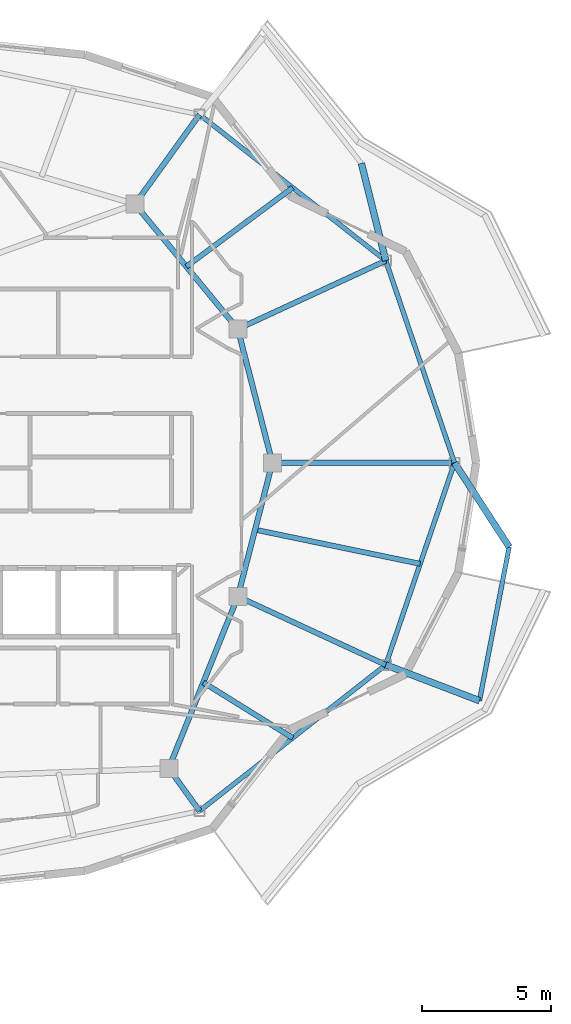
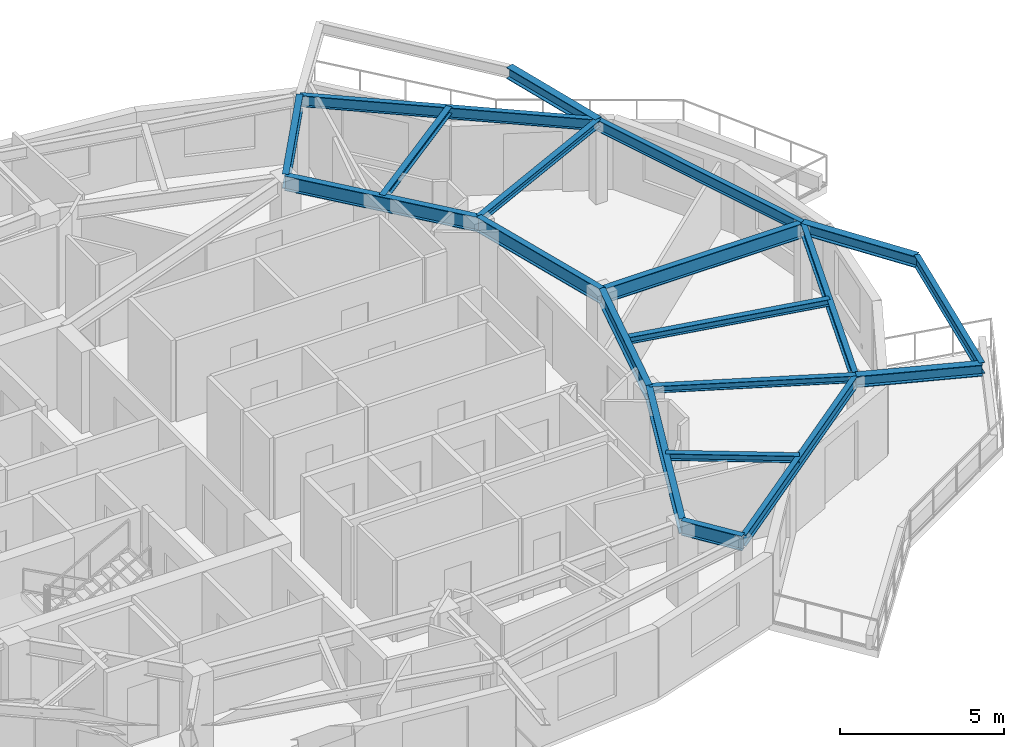
# One storey, part 5 of 14: 20 beams.
"""IFC4 building model written with IfcOpenShell, lengths in metres."""

from ifc_helpers import new_model, si_unit, direction, frame, origin, origin_2d, place, context, subcontext, project, spatial, i_section, extrude, material, material_profile, profile_set, type_object, element, save


model = new_model("IFC4")

# Units and contexts
model_context = context("Model", 3, precision=1e-05, world=origin(), true_north=direction((0.0, 1.0)))
body_context = subcontext(model_context, "Body", "Model", "MODEL_VIEW")
ifc_project = project(units=[si_unit("LENGTHUNIT", "METRE"), si_unit("AREAUNIT", "SQUARE_METRE"), si_unit("VOLUMEUNIT", "CUBIC_METRE"), si_unit("PLANEANGLEUNIT", "RADIAN"), si_unit("MASSUNIT", "GRAM", prefix="KILO")], contexts=[model_context])

# Site, building, storey
site_placement = place(None, origin())
site = spatial("IfcSite", under=ifc_project, at=site_placement, CompositionType="ELEMENT")
building_placement = place(site_placement, origin())
building = spatial("IfcBuilding", under=site, at=building_placement, Name="Kolvaren Gate Tower and Convention Centre", CompositionType="ELEMENT")
storey_placement = place(building_placement, frame((0.0, 0.0, 259.10009765625)))
storey = spatial("IfcBuildingStorey", under=building, at=storey_placement, Name="L70", CompositionType="ELEMENT", Elevation=259.10009765625)

# Beams
ifc_material = material(Name="Structural steel ASTM A992 Grade 345 MPa", Category="steel")
ifc_material_profile_1 = material_profile(ifc_material, i_section(OverallWidth=0.260009765625, OverallDepth=0.419921875, WebThickness=0.013427734375, FlangeThickness=0.0224609375, at=origin_2d()), Name="W410X132")
ifc_profile_set_1 = profile_set([ifc_material_profile_1], Name="Structural steel ASTM A992 Grade 345 MPa")
beam_type_1 = type_object("IfcBeamType", Name="STR-BM-W410X132", PredefinedType="BEAM", material=ifc_profile_set_1)
for number, where, z_axis, x_axis, name in (
    (1, (47.1337890625, 34.856201171875, 2.8203125), (-0.243021682146, 0.97002085648, 0.0), (-0.97002085648, -0.243021682146, 0.0), "Tower L71 Planted Balcony Outrigger Cantilever BC-1A"),
    (2, (47.1337890625, 19.143798828125, 2.8203125), (0.933954141343, -0.35739286768, 0.0), (0.35739286768, 0.933954141343, 0.0), "Tower L71 Planted Balcony Outrigger Cantilever BC-4A"),
):
    element("IfcBeam", number, at=place(storey_placement, frame(where, z_axis=z_axis, x_axis=x_axis)), inside=storey, type_object=beam_type_1, Name=name, PredefinedType="BEAM", context=body_context, shape_type="SweptSolid", body=[
        extrude(i_section(OverallWidth=0.260009765625, OverallDepth=0.419921875, WebThickness=0.013427734375, FlangeThickness=0.0224609375, at=origin_2d()), origin(), (0.0, 0.0, 1.0), 3.89990234375),
    ])
beam_1_placement = place(storey_placement, frame((49.80615234375, 27.0, 2.8203125), z_axis=(0.544794709784, -0.838569451024, 0.0), x_axis=(0.838569451024, 0.544794709784, 0.0)))
element("IfcBeam", 3, at=beam_1_placement, inside=storey, type_object=beam_type_1, Name="Tower L71 Planted Balcony Outrigger Cantilever BC-4B", PredefinedType="BEAM", context=body_context, shape_type="SweptSolid", body=[
    extrude(i_section(OverallWidth=0.260009765625, OverallDepth=0.419921875, WebThickness=0.013427734375, FlangeThickness=0.0224609375, at=origin_2d()), origin(), (0.0, 0.0, 1.0), 3.900146484375),
])
ifc_material_profile_2 = material_profile(ifc_material, i_section(OverallWidth=0.2119140625, OverallDepth=0.5439453125, WebThickness=0.01318359375, FlangeThickness=0.021240234375, at=origin_2d()), Name="W530X123")
ifc_profile_set_2 = profile_set([ifc_material_profile_2], Name="Structural steel ASTM A992 Grade 345 MPa")
beam_type_2 = type_object("IfcBeamType", Name="STR-BM-W530X123", PredefinedType="BEAM", material=ifc_profile_set_2)
beam_2_placement = place(storey_placement, frame((42.72509765625, 27.0, 2.7578125), z_axis=(-0.250091133936, -0.968222301296, 0.0), x_axis=(0.968222301296, -0.250091133936, 0.0)))
element("IfcBeam", 4, at=beam_2_placement, inside=storey, type_object=beam_type_2, Name="Tower L70 Primary Ring Girder G-01", PredefinedType="BEAM", context=body_context, shape_type="SweptSolid", body=[
    extrude(i_section(OverallWidth=0.2119140625, OverallDepth=0.5439453125, WebThickness=0.01318359375, FlangeThickness=0.021240234375, at=origin_2d()), origin(), (0.0, 0.0, 1.0), 5.3701171875),
])
beam_3_placement = place(storey_placement, frame((41.382080078125, 32.199462890625, 2.7578125), z_axis=(-0.635884066011, 0.771784590798, 0.0), x_axis=(-0.771784590798, -0.635884066011, 0.0)))
element("IfcBeam", 5, at=beam_3_placement, inside=storey, type_object=beam_type_2, Name="Tower L70 Primary Ring Girder G-02", PredefinedType="BEAM", context=body_context, shape_type="SweptSolid", body=[
    extrude(i_section(OverallWidth=0.2119140625, OverallDepth=0.5439453125, WebThickness=0.01318359375, FlangeThickness=0.021240234375, at=origin_2d()), origin(), (0.0, 0.0, 1.0), 6.291259765625),
])
beam_4_placement = place(storey_placement, frame((38.6982421875, 15.12060546875, 2.7578125), z_axis=(0.372811100169, 0.927907260232, 0.0), x_axis=(-0.927907260232, 0.372811100169, 0.0)))
element("IfcBeam", 6, at=beam_4_placement, inside=storey, type_object=beam_type_2, Name="Tower L70 Primary Ring Girder G-09", PredefinedType="BEAM", context=body_context, shape_type="SweptSolid", body=[
    extrude(i_section(OverallWidth=0.2119140625, OverallDepth=0.5439453125, WebThickness=0.01318359375, FlangeThickness=0.021240234375, at=origin_2d()), origin(), (0.0, 0.0, 1.0), 7.198974609375),
])
beam_5_placement = place(storey_placement, frame((42.72509765625, 27.0, 2.7578125), z_axis=(-0.250091133936, 0.968222301296, 0.0), x_axis=(-0.968222301296, -0.250091133936, 0.0)))
element("IfcBeam", 7, at=beam_5_placement, inside=storey, type_object=beam_type_2, Name="Tower L70 Primary Ring Girder G-12", PredefinedType="BEAM", context=body_context, shape_type="SweptSolid", body=[
    extrude(i_section(OverallWidth=0.2119140625, OverallDepth=0.5439453125, WebThickness=0.01318359375, FlangeThickness=0.021240234375, at=origin_2d()), origin(), (0.0, 0.0, 1.0), 5.3701171875),
])
beam_6_placement = place(storey_placement, frame((42.72509765625, 27.0, 2.7578125), z_axis=(1.0, 0.0, 0.0), x_axis=(0.0, 1.0, 0.0)))
element("IfcBeam", 8, at=beam_6_placement, inside=storey, type_object=beam_type_2, Name="Tower L70 Radial Floor Girder RB-01", PredefinedType="BEAM", context=body_context, shape_type="SweptSolid", body=[
    extrude(i_section(OverallWidth=0.2119140625, OverallDepth=0.5439453125, WebThickness=0.01318359375, FlangeThickness=0.021240234375, at=origin_2d()), origin(), (0.0, 0.0, 1.0), 7.0810546875),
])
beam_7_placement = place(storey_placement, frame((37.381591796875, 37.054931640625, 2.7578125), z_axis=(0.585218448818, 0.810875679228, 0.0), x_axis=(-0.810875679228, 0.585218448818, 0.0)))
element("IfcBeam", 9, at=beam_7_placement, inside=storey, type_object=beam_type_2, Name="Tower L70 Radial Floor Girder RB-03", PredefinedType="BEAM", context=body_context, shape_type="SweptSolid", body=[
    extrude(i_section(OverallWidth=0.2119140625, OverallDepth=0.5439453125, WebThickness=0.01318359375, FlangeThickness=0.021240234375, at=origin_2d()), origin(), (0.0, 0.0, 1.0), 4.2919921875),
])
beam_8_placement = place(storey_placement, frame((38.6982421875, 15.12060546875, 2.7578125), z_axis=(0.585246071944, -0.810855742579, 0.0), x_axis=(0.810855742579, 0.585246071944, 0.0)))
element("IfcBeam", 10, at=beam_8_placement, inside=storey, type_object=beam_type_2, Name="Tower L70 Radial Floor Girder RB-11", PredefinedType="BEAM", context=body_context, shape_type="SweptSolid", body=[
    extrude(i_section(OverallWidth=0.2119140625, OverallDepth=0.5439453125, WebThickness=0.01318359375, FlangeThickness=0.021240234375, at=origin_2d()), origin(), (0.0, 0.0, 1.0), 2.0419921875),
])
ifc_material_profile_3 = material_profile(ifc_material, i_section(OverallWidth=0.202880859375, OverallDepth=0.251953125, WebThickness=0.008056640625, FlangeThickness=0.013427734375, at=origin_2d()), Name="W250X58")
ifc_profile_set_3 = profile_set([ifc_material_profile_3], Name="Structural steel ASTM A992 Grade 345 MPa")
beam_type_3 = type_object("IfcBeamType", Name="STR-JS-W250X58", PredefinedType="JOIST", material=ifc_profile_set_3)
for number, where, z_axis, x_axis, name in (
    (11, (41.382080078125, 32.199462890625, 2.90380859375), (0.907833025456, 0.41933184698, 0.0), (-0.41933184698, 0.907833025456, 0.0), "Tower L70 Radial Floor Girder RB-02"),
    (12, (41.382080078125, 21.800537109375, 2.90380859375), (0.907833025456, -0.41933184698, 0.0), (0.41933184698, 0.907833025456, 0.0), "Tower L70 Radial Floor Girder RB-12"),
):
    element("IfcBeam", number, at=place(storey_placement, frame(where, z_axis=z_axis, x_axis=x_axis)), inside=storey, type_object=beam_type_3, Name=name, PredefinedType="JOIST", context=body_context, shape_type="SweptSolid", body=[
        extrude(i_section(OverallWidth=0.202880859375, OverallDepth=0.251953125, WebThickness=0.008056640625, FlangeThickness=0.013427734375, at=origin_2d()), origin(), (0.0, 0.0, 1.0), 6.335693359375),
    ])
beam_9_placement = place(storey_placement, frame((39.3818359375, 34.627197265625, 2.90380859375), z_axis=(0.802797696216, 0.596251506455, 0.0), x_axis=(-0.596251506455, 0.802797696216, 0.0)))
element("IfcBeam", 13, at=beam_9_placement, inside=storey, type_object=beam_type_3, Name="Tower L70 Secondary Composite Floor Joist J-02.1", PredefinedType="JOIST", context=body_context, shape_type="SweptSolid", body=[
    extrude(i_section(OverallWidth=0.202880859375, OverallDepth=0.251953125, WebThickness=0.008056640625, FlangeThickness=0.013427734375, at=origin_2d()), origin(), (0.0, 0.0, 1.0), 5.146484375),
])
beam_10_placement = place(storey_placement, frame((40.040283203125, 18.46044921875, 2.90380859375), z_axis=(0.849584798243, -0.527452055257, 0.0), x_axis=(0.527452055257, 0.849584798243, 0.0)))
element("IfcBeam", 14, at=beam_10_placement, inside=storey, type_object=beam_type_3, Name="Tower L70 Secondary Composite Floor Joist J-11.1", PredefinedType="JOIST", context=body_context, shape_type="SweptSolid", body=[
    extrude(i_section(OverallWidth=0.202880859375, OverallDepth=0.251953125, WebThickness=0.008056640625, FlangeThickness=0.013427734375, at=origin_2d()), origin(), (0.0, 0.0, 1.0), 4.088134765625),
])
beam_11_placement = place(storey_placement, frame((42.0537109375, 24.400146484375, 2.90380859375), z_axis=(0.97924155137, -0.20269677864, 0.0), x_axis=(0.20269677864, 0.97924155137, 0.0)))
element("IfcBeam", 15, at=beam_11_placement, inside=storey, type_object=beam_type_3, Name="Tower L70 Secondary Composite Floor Joist J-12.1", PredefinedType="JOIST", context=body_context, shape_type="SweptSolid", body=[
    extrude(i_section(OverallWidth=0.202880859375, OverallDepth=0.251953125, WebThickness=0.008056640625, FlangeThickness=0.013427734375, at=origin_2d()), origin(), (0.0, 0.0, 1.0), 6.55224609375),
])
ifc_material_profile_4 = material_profile(ifc_material, i_section(OverallWidth=0.180908203125, OverallDepth=0.4169921875, WebThickness=0.010986328125, FlangeThickness=0.018310546875, at=origin_2d()), Name="W410X85")
ifc_profile_set_4 = profile_set([ifc_material_profile_4], Name="Structural steel ASTM A992 Grade 345 MPa")
beam_type_4 = type_object("IfcBeamType", Name="STR-SP-W410X85", PredefinedType="SPANDREL", material=ifc_profile_set_4)
beam_12_placement = place(storey_placement, frame((49.80615234375, 27.0, 2.8212890625), z_axis=(-0.322038282171, 0.946726647357, 0.0), x_axis=(-0.946726647357, -0.322038282171, 0.0)))
element("IfcBeam", 16, at=beam_12_placement, inside=storey, type_object=beam_type_4, Name="Tower L70 Perimeter Spandrel Beam SP-01", PredefinedType="SPANDREL", context=body_context, shape_type="SweptSolid", body=[
    extrude(i_section(OverallWidth=0.180908203125, OverallDepth=0.4169921875, WebThickness=0.010986328125, FlangeThickness=0.018310546875, at=origin_2d()), origin(), (0.0, 0.0, 1.0), 8.29833984375),
])
for number, where, z_axis, x_axis, name in (
    (17, (47.1337890625, 34.856201171875, 2.8212890625), (-0.786845586039, 0.61714991998, 0.0), (-0.61714991998, -0.786845586039, 0.0), "Tower L70 Perimeter Spandrel Beam SP-02"),
    (18, (39.893310546875, 13.46484375, 2.8212890625), (0.786845586039, 0.61714991998, 0.0), (-0.61714991998, 0.786845586039, 0.0), "Tower L70 Perimeter Spandrel Beam SP-11"),
):
    element("IfcBeam", number, at=place(storey_placement, frame(where, z_axis=z_axis, x_axis=x_axis)), inside=storey, type_object=beam_type_4, Name=name, PredefinedType="SPANDREL", context=body_context, shape_type="SweptSolid", body=[
        extrude(i_section(OverallWidth=0.180908203125, OverallDepth=0.4169921875, WebThickness=0.010986328125, FlangeThickness=0.018310546875, at=origin_2d()), origin(), (0.0, 0.0, 1.0), 9.201904296875),
    ])
beam_13_placement = place(storey_placement, frame((47.1337890625, 19.143798828125, 2.8212890625), z_axis=(0.322038282171, 0.946726647357, 0.0), x_axis=(-0.946726647357, 0.322038282171, 0.0)))
element("IfcBeam", 19, at=beam_13_placement, inside=storey, type_object=beam_type_4, Name="Tower L70 Perimeter Spandrel Beam SP-12", PredefinedType="SPANDREL", context=body_context, shape_type="SweptSolid", body=[
    extrude(i_section(OverallWidth=0.180908203125, OverallDepth=0.4169921875, WebThickness=0.010986328125, FlangeThickness=0.018310546875, at=origin_2d()), origin(), (0.0, 0.0, 1.0), 8.29833984375),
])
beam_14_placement = place(storey_placement, frame((50.776123046875, 17.75, 2.822021484375), z_axis=(0.189620519125, 0.981857453364, 0.0), x_axis=(-0.981857453364, 0.189620519125, 0.0)))
element("IfcBeam", 20, at=beam_14_placement, inside=storey, type_object=beam_type_4, Name="Tower L71 Planted Balcony Header Tie Beam BT-4", PredefinedType="SPANDREL", context=body_context, shape_type="SweptSolid", body=[
    extrude(i_section(OverallWidth=0.180908203125, OverallDepth=0.4169921875, WebThickness=0.010986328125, FlangeThickness=0.018310546875, at=origin_2d()), origin(), (0.0, 0.0, 1.0), 6.090087890625),
])

save(model, "model.ifc")
